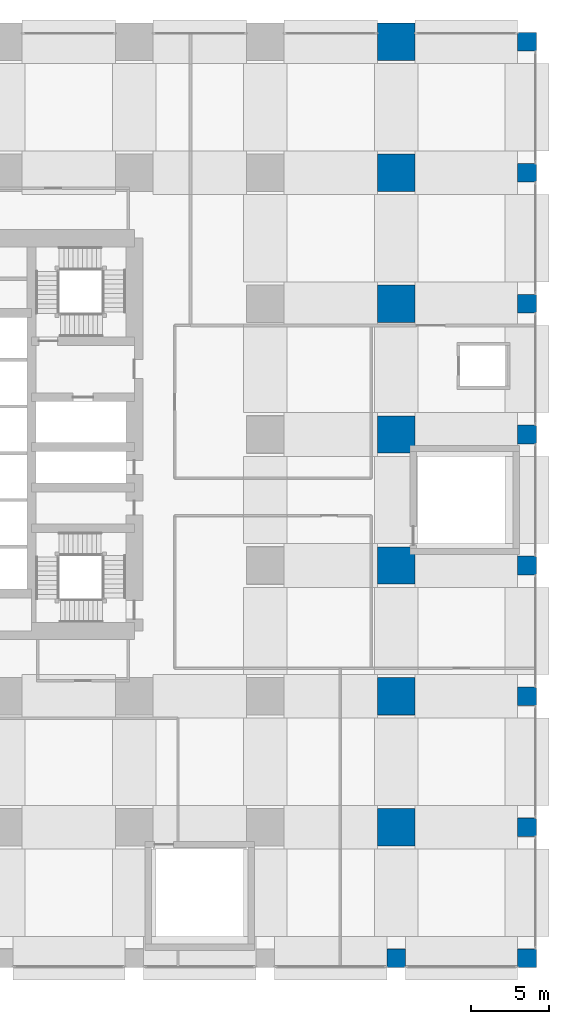
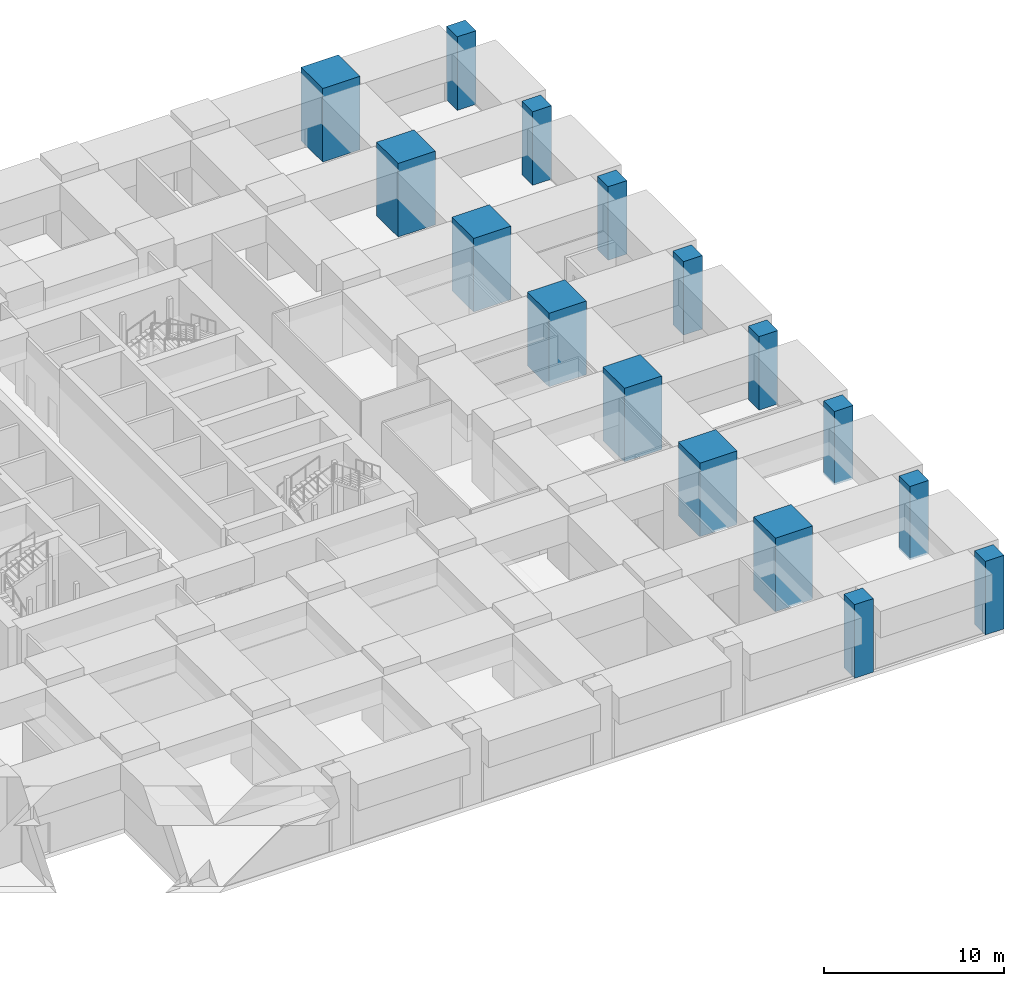
# One storey, part 2 of 52: 16 columns.
"""IFC4 building model written with IfcOpenShell, lengths in metres."""

import ifcopenshell
import ifcopenshell.guid

model = None  # the IFC model being written
_history = None  # IfcOwnerHistory: only IFC2X3 demands one
_inside = {}  # id of a spatial element -> (the spatial element, [elements in it])
_under = {}  # id of a project, library or spatial element -> (it, [spatial elements below it])
_declared = {}  # id of a project -> (the project, [libraries it declares])
_typed = {}  # id of a type object -> (the type object, [elements of that type])
_made_of = {}  # id of a material, layer set ... -> (it, [elements and type objects made of it])


def new_model(schema):
    """Start an empty IFC model of exactly this schema.

    Asked for "IFC4X3", IfcOpenShell would pick the latest addendum, in which some entities
    have other attributes; the version numbers below select the first issue.
    IFC2X3 requires an IfcOwnerHistory on every rooted entity: one is made here for all.
    """
    global model, _history
    if schema == "IFC4X3":
        model = ifcopenshell.file(schema_version=(4, 3, 0, 0))
    else:
        model = ifcopenshell.file(schema=schema)
    _inside.clear()
    _under.clear()
    _declared.clear()
    _typed.clear()
    _made_of.clear()
    _history = None
    if model.schema == "IFC2X3":
        org = make("IfcOrganization", Name="unknown")
        user = make(
            "IfcPersonAndOrganization",
            ThePerson=make("IfcPerson", FamilyName="unknown"),
            TheOrganization=org,
        )
        app = make(
            "IfcApplication",
            ApplicationDeveloper=org,
            Version="unknown",
            ApplicationFullName="unknown",
            ApplicationIdentifier="unknown",
        )
        _history = make(
            "IfcOwnerHistory",
            OwningUser=user,
            OwningApplication=app,
            ChangeAction="ADDED",
            CreationDate=0,
        )
    return model


def make(cls, **values):
    """One entity of the class cls with the attributes given. An attribute that is None is left unset."""
    return model.create_entity(
        cls, **{name: value for name, value in values.items() if value is not None}
    )


def rooted(cls, **values):
    """An entity with a GlobalId (a new one), such as an element, a storey or a relation."""
    return make(cls, GlobalId=ifcopenshell.guid.new(), OwnerHistory=_history, **values)


def si_unit(unit_type, name, prefix=None):
    """IfcSIUnit, for example si_unit("LENGTHUNIT", "METRE", prefix="MILLI")."""
    return make("IfcSIUnit", UnitType=unit_type, Prefix=prefix, Name=name)


def assignment(units):
    """IfcUnitAssignment: the units of a project."""
    return None if units is None else make("IfcUnitAssignment", Units=units)


def point(xyz):
    """IfcCartesianPoint."""
    return None if xyz is None else make("IfcCartesianPoint", Coordinates=xyz)


def direction(xyz):
    """IfcDirection."""
    return None if xyz is None else make("IfcDirection", DirectionRatios=xyz)


def frame(location, z_axis=None, x_axis=None):
    """IfcAxis2Placement3D, a coordinate frame: its origin and axes. An axis left out is left unset."""
    return make(
        "IfcAxis2Placement3D",
        Location=point(location),
        Axis=direction(z_axis),
        RefDirection=direction(x_axis),
    )


def frame_2d(location, x_axis=None):
    """IfcAxis2Placement2D, a coordinate frame in the plane: its origin and x axis."""
    return make(
        "IfcAxis2Placement2D", Location=point(location), RefDirection=direction(x_axis)
    )


def origin():
    """The frame at (0, 0, 0) with its axes left unset."""
    return frame((0.0, 0.0, 0.0))


def origin_2d():
    """The frame at (0, 0) in the plane with its x axis left unset."""
    return frame_2d((0.0, 0.0))


def place(relative_to, where):
    """IfcLocalPlacement: puts the frame where relative to a parent placement (None: the world)."""
    return make(
        "IfcLocalPlacement", PlacementRelTo=relative_to, RelativePlacement=where
    )


def context(
    kind, dimensions, precision=None, world=None, true_north=None, identifier=None
):
    """IfcGeometricRepresentationContext, for example the 3D "Model" context."""
    return make(
        "IfcGeometricRepresentationContext",
        ContextIdentifier=identifier,
        ContextType=kind,
        CoordinateSpaceDimension=dimensions,
        Precision=precision,
        WorldCoordinateSystem=world,
        TrueNorth=true_north,
    )


def subcontext(parent, identifier, kind, view, scale=None):
    """IfcGeometricRepresentationSubContext, for example "Body" below "Model"."""
    return make(
        "IfcGeometricRepresentationSubContext",
        ContextIdentifier=identifier,
        ContextType=kind,
        ParentContext=parent,
        TargetScale=scale,
        TargetView=view,
    )


def project(units=None, contexts=None):
    """IfcProject with its units and contexts."""
    return rooted(
        "IfcProject",
        Name="project",
        RepresentationContexts=contexts,
        UnitsInContext=assignment(units),
    )


def spatial(cls, under=None, at=None, **own):
    """A site, building, storey or space (cls), placed at a placement, below another one or the project."""
    s = rooted(cls, ObjectPlacement=at, **own)
    if under is not None:
        _under.setdefault(under.id(), (under, []))[1].append(s)
    return s


def profile(cls, at=None, kind="AREA", **sizes):
    """A parametric profile (cls). Its sizes go by their IFC names, for example OverallWidth=200.0."""
    return make(cls, ProfileType=kind, Position=at, **sizes)


def rectangle(**sizes):
    """IfcRectangleProfileDef."""
    return profile("IfcRectangleProfileDef", **sizes)


def extrude(swept, where, along, depth):
    """IfcExtrudedAreaSolid: the profile swept, set in the frame where, extruded along a direction by depth."""
    return make(
        "IfcExtrudedAreaSolid",
        SweptArea=swept,
        Position=where,
        ExtrudedDirection=direction(along),
        Depth=depth,
    )


def shape(context_of_items, identifier, shape_type, items):
    """IfcShapeRepresentation: the items that make up one representation, for example the "Body"."""
    return make(
        "IfcShapeRepresentation",
        ContextOfItems=context_of_items,
        RepresentationIdentifier=identifier,
        RepresentationType=shape_type,
        Items=items,
    )


def material(Name=None, Category=None):
    """IfcMaterial."""
    return make("IfcMaterial", Name=Name, Category=Category)


def material_profile(
    of_material, cross_section, Name=None, Category=None, Priority=None
):
    """IfcMaterialProfile: a cross section and its material."""
    return make(
        "IfcMaterialProfile",
        Name=Name,
        Material=of_material,
        Profile=cross_section,
        Priority=Priority,
        Category=Category,
    )


def profile_set(profiles, Name=None, composite=None):
    """IfcMaterialProfileSet."""
    return make(
        "IfcMaterialProfileSet",
        Name=Name,
        MaterialProfiles=profiles,
        CompositeProfile=composite,
    )


def made_of(thing, what):
    """Note that an element or type object is made of a material, layer set ...; save() writes the relation."""
    if what is not None:
        _made_of.setdefault(what.id(), (what, []))[1].append(thing)
    return thing


def type_object(cls, material=None, **own):
    """A type object (cls), such as IfcWallType, which elements share."""
    return made_of(rooted(cls, **own), material)


def element(
    cls,
    number,
    at=None,
    inside=None,
    cuts=None,
    type_object=None,
    material=None,
    context=None,
    identifier="Body",
    shape_type=None,
    held_by="IfcProductDefinitionShape",
    body=None,
    shapes=None,
    **own,
):
    """One element of the class cls, such as IfcWall. Its Tag is "e" and its number.

    at: its placement. inside: the storey or other place that contains it. cuts: it is an
    opening in that element (IfcRelVoidsElement). A single representation is given by context,
    identifier, shape_type and body (its items); several are given by shapes. held_by: the class
    of the entity that holds the representations. save() writes the other relations.
    """
    e = rooted(cls, Tag="e%d" % number, ObjectPlacement=at, **own)
    if body is not None:
        shapes = [shape(context, identifier, shape_type, body)]
    if shapes is not None:
        e.Representation = make(held_by, Representations=shapes)
    if inside is not None:
        _inside.setdefault(inside.id(), (inside, []))[1].append(e)
    if cuts is not None:
        rooted(
            "IfcRelVoidsElement", RelatingBuildingElement=cuts, RelatedOpeningElement=e
        )
    if type_object is not None:
        _typed.setdefault(type_object.id(), (type_object, []))[1].append(e)
    return made_of(e, material)


def aggregate(whole, parts):
    """IfcRelAggregates: a whole, such as a stair, and the parts it consists of."""
    return rooted("IfcRelAggregates", RelatingObject=whole, RelatedObjects=parts)


def save(model, path):
    """Write the relations noted so far, then the file.

    IfcRelAggregates (storeys below a building ...), IfcRelContainedInSpatialStructure (elements
    in a storey), IfcRelDefinesByType, IfcRelAssociatesMaterial and IfcRelDeclares: one each for
    every whole, place, type object, material and project.
    """
    for whole, parts in _under.values():
        aggregate(whole, parts)
    for where, things in _inside.values():
        rooted(
            "IfcRelContainedInSpatialStructure",
            RelatedElements=things,
            RelatingStructure=where,
        )
    for kind, things in _typed.values():
        rooted("IfcRelDefinesByType", RelatedObjects=things, RelatingType=kind)
    for what, things in _made_of.values():
        rooted("IfcRelAssociatesMaterial", RelatedObjects=things, RelatingMaterial=what)
    for by, libraries in _declared.values():
        rooted("IfcRelDeclares", RelatingContext=by, RelatedDefinitions=libraries)
    model.write(path)


model = new_model("IFC4")

# Units and contexts
model_context = context("Model", 3, precision=1e-05, world=origin(), true_north=direction((0.0, 1.0)))
body_context = subcontext(model_context, "Body", "Model", "MODEL_VIEW")
ifc_project = project(units=[si_unit("LENGTHUNIT", "METRE"), si_unit("AREAUNIT", "SQUARE_METRE"), si_unit("VOLUMEUNIT", "CUBIC_METRE"), si_unit("PLANEANGLEUNIT", "RADIAN"), si_unit("MASSUNIT", "GRAM", prefix="KILO")], contexts=[model_context])

# Site, building, storey
site_placement = place(None, origin())
site = spatial("IfcSite", under=ifc_project, at=site_placement, CompositionType="ELEMENT")
building_placement = place(site_placement, origin())
building = spatial("IfcBuilding", under=site, at=building_placement, Name="Rekha Terrace Tower", CompositionType="ELEMENT")
storey_placement = place(building_placement, frame((0.0, 0.0, 20.39990234375)))
storey = spatial("IfcBuildingStorey", under=building, at=storey_placement, Name="L04", CompositionType="ELEMENT", Elevation=20.39990234375)

# Columns
ifc_material_1 = material(Name="Concrete M70", Category="concrete")
ifc_material_profile_1 = material_profile(ifc_material_1, rectangle(XDim=2.39990234375, YDim=2.39990234375, at=origin_2d()), Name="RC 2400x2400")
ifc_profile_set_1 = profile_set([ifc_material_profile_1], Name="Concrete M70")
column_type_1 = type_object("IfcColumnType", Name="C1 2400x2400 column", PredefinedType="COLUMN", material=ifc_profile_set_1)
for number, where, z_axis, x_axis, name in (
    (1, (67.199951171875, 8.39990234375, 0.0), (0.0, 0.0, 1.0), (1.0, 0.0, 0.0), "Column C1 9/B L04"),
    (2, (67.199951171875, 16.800048828125, 0.0), (0.0, 0.0, 1.0), (1.0, 0.0, 0.0), "Column C1 9/C L04"),
    (3, (67.199951171875, 25.199951171875, 0.0), (0.0, 0.0, 1.0), (1.0, 0.0, 0.0), "Column C1 9/D L04"),
    (4, (67.199951171875, 33.60009765625, 0.0), (0.0, 0.0, 1.0), (1.0, 0.0, 0.0), "Column C1 9/E L04"),
    (5, (67.199951171875, 42.0, 0.0), (0.0, 0.0, 1.0), (1.0, 0.0, 0.0), "Column C1 9/F L04"),
    (6, (67.199951171875, 50.39990234375, 0.0), (0.0, 0.0, 1.0), (1.0, 0.0, 0.0), "Column C1 9/G L04"),
    (7, (67.199951171875, 58.800048828125, 0.0), (0.0, 0.0, 1.0), (1.0, 0.0, 0.0), "Column C1 9/H L04"),
):
    element("IfcColumn", number, at=place(storey_placement, frame(where, z_axis=z_axis, x_axis=x_axis)), inside=storey, type_object=column_type_1, Name=name, PredefinedType="COLUMN", context=body_context, shape_type="SweptSolid", body=[
        extrude(rectangle(XDim=2.39990234375, YDim=2.39990234375, at=origin_2d()), origin(), (0.0, 0.0, 1.0), 5.0),
    ])
ifc_material_2 = material(Name="Concrete M60", Category="concrete")
ifc_material_profile_2 = material_profile(ifc_material_2, rectangle(XDim=1.199951171875, YDim=1.199951171875, at=origin_2d()), Name="RC 1200x1200")
ifc_profile_set_2 = profile_set([ifc_material_profile_2], Name="Concrete M60")
column_type_2 = type_object("IfcColumnType", Name="C6 1200x1200 podium column", PredefinedType="COLUMN", material=ifc_profile_set_2)
for number, where, z_axis, x_axis, name in (
    (8, (67.199951171875, 0.0, 0.0), (0.0, 0.0, 1.0), (1.0, 0.0, 0.0), "Column C6 9/A L04"),
    (9, (75.60009765625, 0.0, 0.0), (0.0, 0.0, 1.0), (1.0, 0.0, 0.0), "Column C6 10/A L04"),
    (10, (75.60009765625, 8.39990234375, 0.0), (0.0, 0.0, 1.0), (1.0, 0.0, 0.0), "Column C6 10/B L04"),
    (11, (75.60009765625, 16.800048828125, 0.0), (0.0, 0.0, 1.0), (1.0, 0.0, 0.0), "Column C6 10/C L04"),
    (12, (75.60009765625, 25.199951171875, 0.0), (0.0, 0.0, 1.0), (1.0, 0.0, 0.0), "Column C6 10/D L04"),
    (13, (75.60009765625, 33.60009765625, 0.0), (0.0, 0.0, 1.0), (1.0, 0.0, 0.0), "Column C6 10/E L04"),
    (14, (75.60009765625, 42.0, 0.0), (0.0, 0.0, 1.0), (1.0, 0.0, 0.0), "Column C6 10/F L04"),
    (15, (75.60009765625, 50.39990234375, 0.0), (0.0, 0.0, 1.0), (1.0, 0.0, 0.0), "Column C6 10/G L04"),
    (16, (75.60009765625, 58.800048828125, 0.0), (0.0, 0.0, 1.0), (1.0, 0.0, 0.0), "Column C6 10/H L04"),
):
    element("IfcColumn", number, at=place(storey_placement, frame(where, z_axis=z_axis, x_axis=x_axis)), inside=storey, type_object=column_type_2, Name=name, PredefinedType="COLUMN", context=body_context, shape_type="SweptSolid", body=[
        extrude(rectangle(XDim=1.199951171875, YDim=1.199951171875, at=origin_2d()), origin(), (0.0, 0.0, 1.0), 5.0),
    ])

save(model, "model.ifc")
